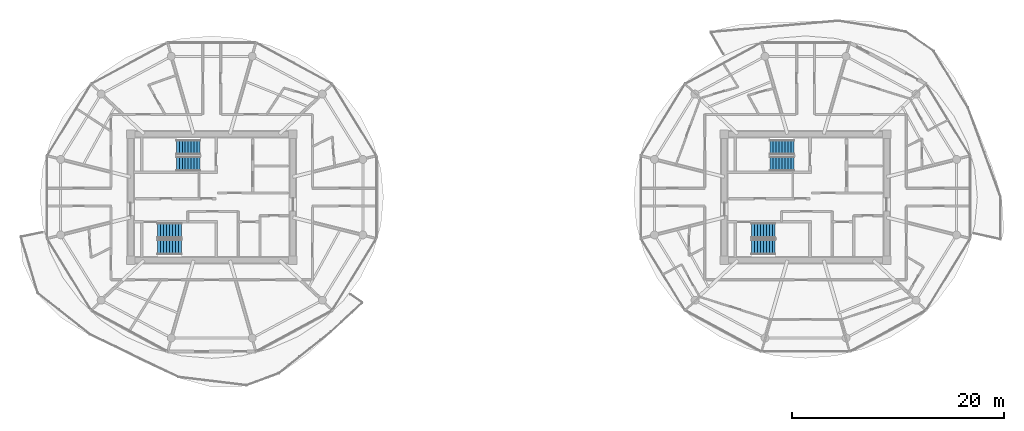
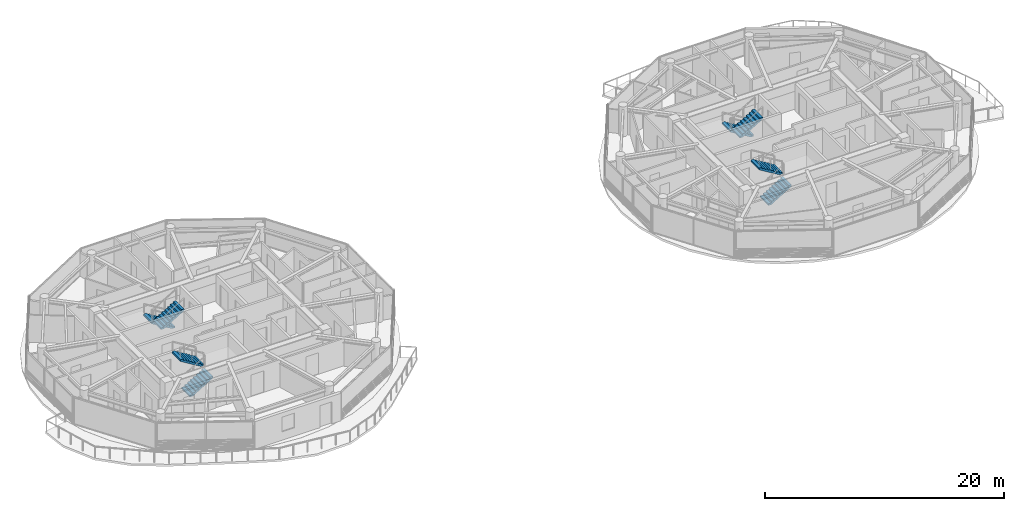
# One storey, part 15 of 19: 8 stair flights, 4 elements without a shape of their own.
"""IFC4 building model written with IfcOpenShell, lengths in metres."""

from ifc_helpers import new_model, si_unit, direction, frame, origin, place, context, subcontext, project, spatial, polyline, outline, extrude, material, type_object, element, aggregate, save


model = new_model("IFC4")

# Units and contexts
model_context = context("Model", 3, precision=1e-05, world=origin(), true_north=direction((0.0, 1.0)))
body_context = subcontext(model_context, "Body", "Model", "MODEL_VIEW")
ifc_project = project(units=[si_unit("LENGTHUNIT", "METRE"), si_unit("AREAUNIT", "SQUARE_METRE"), si_unit("VOLUMEUNIT", "CUBIC_METRE"), si_unit("PLANEANGLEUNIT", "RADIAN"), si_unit("MASSUNIT", "GRAM", prefix="KILO")], contexts=[model_context])

# Site, building, storey
site_placement = place(None, origin())
site = spatial("IfcSite", under=ifc_project, at=site_placement, CompositionType="ELEMENT")
building_placement = place(site_placement, origin())
building = spatial("IfcBuilding", under=site, at=building_placement, Name="Norrkilde Senior Care Towers", CompositionType="ELEMENT")
storey_placement = place(building_placement, frame((0.0, 0.0, 235.25)))
storey = spatial("IfcBuildingStorey", under=building, at=storey_placement, Name="L73", CompositionType="ELEMENT", Elevation=235.25)

# Stair, stair flights
ifc_material = material(Name="Concrete C45/55", Category="concrete")
stair_type = type_object("IfcStairType", Name="Core Protected Dogleg Stair Typical 3050", PredefinedType="HALF_TURN_STAIR", material=ifc_material)
stair_1_placement = place(storey_placement, origin())
stair_1 = element("IfcStair", 1, at=stair_1_placement, inside=storey, type_object=stair_type, Name="L73 Protected Core Stair W1", PredefinedType="HALF_TURN_STAIR")
stair_flight_type = type_object("IfcStairFlightType", Name="Core Protected Dogleg Stair Typical 3050 Flight", PredefinedType="STRAIGHT", material=ifc_material)
stair_flight_1_placement = place(storey_placement, frame((-29.10009765625, 4.699951171875, 0.0), z_axis=(0.0, 0.0, 1.0), x_axis=(-1.0, 0.0, 0.0)))
stair_flight_1 = element("IfcStairFlight", 2, at=stair_flight_1_placement, type_object=stair_flight_type, Name="ST-W1 flight 1", NumberOfRisers=9, NumberOfTreads=8, PredefinedType="STRAIGHT", RiserHeight=0.169444444, TreadLength=0.28, context=body_context, shape_type="SweptSolid", body=[
    extrude(outline(polyline([(0.0, 0.0), (0.0, 0.16943359375), (0.280029296875, 0.16943359375), (0.280029296875, 0.3388671875), (0.56005859375, 0.3388671875), (0.56005859375, 0.50830078125), (0.840087890625, 0.50830078125), (0.840087890625, 0.677734375), (1.1201171875, 0.677734375), (1.1201171875, 0.84716796875), (1.39990234375, 0.84716796875), (1.39990234375, 1.0166015625), (1.679931640625, 1.0166015625), (1.679931640625, 1.18603515625), (1.9599609375, 1.18603515625), (1.9599609375, 1.35546875), (2.239990234375, 1.35546875), (2.239990234375, 1.52490234375), (2.239990234375, 1.180419921875), (0.28955078125, 0.0), (0.0, 0.0)])), frame((0.0, 0.699951171875, 0.0), z_axis=(0.0, -1.0, 0.0), x_axis=(1.0, 0.0, 0.0)), (0.0, 0.0, 1.0), 1.39990234375),
])
stair_flight_2_placement = place(storey_placement, frame((-31.340087890625, 3.14990234375, 1.52490234375), z_axis=(0.0, 0.0, 1.0), x_axis=(1.0, 0.0, 0.0)))
stair_flight_2 = element("IfcStairFlight", 3, at=stair_flight_2_placement, type_object=stair_flight_type, Name="ST-W1 flight 2", NumberOfRisers=9, NumberOfTreads=8, PredefinedType="STRAIGHT", RiserHeight=0.169444444, TreadLength=0.28, context=body_context, shape_type="SweptSolid", body=[
    extrude(outline(polyline([(0.0, 0.0), (0.0, 0.16943359375), (0.280029296875, 0.16943359375), (0.280029296875, 0.3388671875), (0.56005859375, 0.3388671875), (0.56005859375, 0.50830078125), (0.840087890625, 0.50830078125), (0.840087890625, 0.677734375), (1.1201171875, 0.677734375), (1.1201171875, 0.84716796875), (1.39990234375, 0.84716796875), (1.39990234375, 1.0166015625), (1.679931640625, 1.0166015625), (1.679931640625, 1.18603515625), (1.9599609375, 1.18603515625), (1.9599609375, 1.35546875), (2.239990234375, 1.35546875), (2.239990234375, 1.52490234375), (2.239990234375, 1.180419921875), (0.28955078125, 0.0), (0.0, 0.0)])), frame((0.0, 0.699951171875, 0.0), z_axis=(0.0, -1.0, 0.0), x_axis=(1.0, 0.0, 0.0)), (0.0, 0.0, 1.0), 1.39990234375),
])
aggregate(stair_1, [stair_flight_1, stair_flight_2])

stair_2_placement = place(storey_placement, origin())
stair_2 = element("IfcStair", 4, at=stair_2_placement, inside=storey, type_object=stair_type, Name="L73 Protected Core Stair W2", PredefinedType="HALF_TURN_STAIR")
stair_flight_3_placement = place(storey_placement, frame((-33.10009765625, -4.699951171875, 0.0), z_axis=(0.0, 0.0, 1.0), x_axis=(1.0, 0.0, 0.0)))
stair_flight_3 = element("IfcStairFlight", 5, at=stair_flight_3_placement, type_object=stair_flight_type, Name="ST-W2 flight 1", NumberOfRisers=9, NumberOfTreads=8, PredefinedType="STRAIGHT", RiserHeight=0.169444444, TreadLength=0.28, context=body_context, shape_type="SweptSolid", body=[
    extrude(outline(polyline([(0.0, 0.0), (0.0, 0.16943359375), (0.280029296875, 0.16943359375), (0.280029296875, 0.3388671875), (0.56005859375, 0.3388671875), (0.56005859375, 0.50830078125), (0.840087890625, 0.50830078125), (0.840087890625, 0.677734375), (1.1201171875, 0.677734375), (1.1201171875, 0.84716796875), (1.39990234375, 0.84716796875), (1.39990234375, 1.0166015625), (1.679931640625, 1.0166015625), (1.679931640625, 1.18603515625), (1.9599609375, 1.18603515625), (1.9599609375, 1.35546875), (2.239990234375, 1.35546875), (2.239990234375, 1.52490234375), (2.239990234375, 1.180419921875), (0.28955078125, 0.0), (0.0, 0.0)])), frame((0.0, 0.699951171875, 0.0), z_axis=(0.0, -1.0, 0.0), x_axis=(1.0, 0.0, 0.0)), (0.0, 0.0, 1.0), 1.39990234375),
])
stair_flight_4_placement = place(storey_placement, frame((-30.860107421875, -3.14990234375, 1.52490234375), z_axis=(0.0, 0.0, 1.0), x_axis=(-1.0, 0.0, 0.0)))
stair_flight_4 = element("IfcStairFlight", 6, at=stair_flight_4_placement, type_object=stair_flight_type, Name="ST-W2 flight 2", NumberOfRisers=9, NumberOfTreads=8, PredefinedType="STRAIGHT", RiserHeight=0.169444444, TreadLength=0.28, context=body_context, shape_type="SweptSolid", body=[
    extrude(outline(polyline([(0.0, 0.0), (0.0, 0.16943359375), (0.280029296875, 0.16943359375), (0.280029296875, 0.3388671875), (0.56005859375, 0.3388671875), (0.56005859375, 0.50830078125), (0.840087890625, 0.50830078125), (0.840087890625, 0.677734375), (1.1201171875, 0.677734375), (1.1201171875, 0.84716796875), (1.39990234375, 0.84716796875), (1.39990234375, 1.0166015625), (1.679931640625, 1.0166015625), (1.679931640625, 1.18603515625), (1.9599609375, 1.18603515625), (1.9599609375, 1.35546875), (2.239990234375, 1.35546875), (2.239990234375, 1.52490234375), (2.239990234375, 1.180419921875), (0.28955078125, 0.0), (0.0, 0.0)])), frame((0.0, 0.699951171875, 0.0), z_axis=(0.0, -1.0, 0.0), x_axis=(1.0, 0.0, 0.0)), (0.0, 0.0, 1.0), 1.39990234375),
])
aggregate(stair_2, [stair_flight_3, stair_flight_4])

stair_3_placement = place(storey_placement, origin())
stair_3 = element("IfcStair", 7, at=stair_3_placement, inside=storey, type_object=stair_type, Name="L73 Protected Core Stair E1", PredefinedType="HALF_TURN_STAIR")
stair_flight_5_placement = place(storey_placement, frame((26.89990234375, 4.699951171875, 0.0), z_axis=(0.0, 0.0, 1.0), x_axis=(-1.0, 0.0, 0.0)))
stair_flight_5 = element("IfcStairFlight", 8, at=stair_flight_5_placement, type_object=stair_flight_type, Name="ST-E1 flight 1", NumberOfRisers=9, NumberOfTreads=8, PredefinedType="STRAIGHT", RiserHeight=0.169444444, TreadLength=0.28, context=body_context, shape_type="SweptSolid", body=[
    extrude(outline(polyline([(0.0, 0.0), (0.0, 0.16943359375), (0.280029296875, 0.16943359375), (0.280029296875, 0.3388671875), (0.56005859375, 0.3388671875), (0.56005859375, 0.50830078125), (0.840087890625, 0.50830078125), (0.840087890625, 0.677734375), (1.1201171875, 0.677734375), (1.1201171875, 0.84716796875), (1.39990234375, 0.84716796875), (1.39990234375, 1.0166015625), (1.679931640625, 1.0166015625), (1.679931640625, 1.18603515625), (1.9599609375, 1.18603515625), (1.9599609375, 1.35546875), (2.239990234375, 1.35546875), (2.239990234375, 1.52490234375), (2.239990234375, 1.180419921875), (0.28955078125, 0.0), (0.0, 0.0)])), frame((0.0, 0.699951171875, 0.0), z_axis=(0.0, -1.0, 0.0), x_axis=(1.0, 0.0, 0.0)), (0.0, 0.0, 1.0), 1.39990234375),
])
stair_flight_6_placement = place(storey_placement, frame((24.659912109375, 3.14990234375, 1.52490234375), z_axis=(0.0, 0.0, 1.0), x_axis=(1.0, 0.0, 0.0)))
stair_flight_6 = element("IfcStairFlight", 9, at=stair_flight_6_placement, type_object=stair_flight_type, Name="ST-E1 flight 2", NumberOfRisers=9, NumberOfTreads=8, PredefinedType="STRAIGHT", RiserHeight=0.169444444, TreadLength=0.28, context=body_context, shape_type="SweptSolid", body=[
    extrude(outline(polyline([(0.0, 0.0), (0.0, 0.16943359375), (0.280029296875, 0.16943359375), (0.280029296875, 0.3388671875), (0.56005859375, 0.3388671875), (0.56005859375, 0.50830078125), (0.840087890625, 0.50830078125), (0.840087890625, 0.677734375), (1.1201171875, 0.677734375), (1.1201171875, 0.84716796875), (1.39990234375, 0.84716796875), (1.39990234375, 1.0166015625), (1.679931640625, 1.0166015625), (1.679931640625, 1.18603515625), (1.9599609375, 1.18603515625), (1.9599609375, 1.35546875), (2.239990234375, 1.35546875), (2.239990234375, 1.52490234375), (2.239990234375, 1.180419921875), (0.28955078125, 0.0), (0.0, 0.0)])), frame((0.0, 0.699951171875, 0.0), z_axis=(0.0, -1.0, 0.0), x_axis=(1.0, 0.0, 0.0)), (0.0, 0.0, 1.0), 1.39990234375),
])
aggregate(stair_3, [stair_flight_5, stair_flight_6])

stair_4_placement = place(storey_placement, origin())
stair_4 = element("IfcStair", 10, at=stair_4_placement, inside=storey, type_object=stair_type, Name="L73 Protected Core Stair E2", PredefinedType="HALF_TURN_STAIR")
stair_flight_7_placement = place(storey_placement, frame((22.89990234375, -4.699951171875, 0.0), z_axis=(0.0, 0.0, 1.0), x_axis=(1.0, 0.0, 0.0)))
stair_flight_7 = element("IfcStairFlight", 11, at=stair_flight_7_placement, type_object=stair_flight_type, Name="ST-E2 flight 1", NumberOfRisers=9, NumberOfTreads=8, PredefinedType="STRAIGHT", RiserHeight=0.169444444, TreadLength=0.28, context=body_context, shape_type="SweptSolid", body=[
    extrude(outline(polyline([(0.0, 0.0), (0.0, 0.16943359375), (0.280029296875, 0.16943359375), (0.280029296875, 0.3388671875), (0.56005859375, 0.3388671875), (0.56005859375, 0.50830078125), (0.840087890625, 0.50830078125), (0.840087890625, 0.677734375), (1.1201171875, 0.677734375), (1.1201171875, 0.84716796875), (1.39990234375, 0.84716796875), (1.39990234375, 1.0166015625), (1.679931640625, 1.0166015625), (1.679931640625, 1.18603515625), (1.9599609375, 1.18603515625), (1.9599609375, 1.35546875), (2.239990234375, 1.35546875), (2.239990234375, 1.52490234375), (2.239990234375, 1.180419921875), (0.28955078125, 0.0), (0.0, 0.0)])), frame((0.0, 0.699951171875, 0.0), z_axis=(0.0, -1.0, 0.0), x_axis=(1.0, 0.0, 0.0)), (0.0, 0.0, 1.0), 1.39990234375),
])
stair_flight_8_placement = place(storey_placement, frame((25.139892578125, -3.14990234375, 1.52490234375), z_axis=(0.0, 0.0, 1.0), x_axis=(-1.0, 0.0, 0.0)))
stair_flight_8 = element("IfcStairFlight", 12, at=stair_flight_8_placement, type_object=stair_flight_type, Name="ST-E2 flight 2", NumberOfRisers=9, NumberOfTreads=8, PredefinedType="STRAIGHT", RiserHeight=0.169444444, TreadLength=0.28, context=body_context, shape_type="SweptSolid", body=[
    extrude(outline(polyline([(0.0, 0.0), (0.0, 0.16943359375), (0.280029296875, 0.16943359375), (0.280029296875, 0.3388671875), (0.56005859375, 0.3388671875), (0.56005859375, 0.50830078125), (0.840087890625, 0.50830078125), (0.840087890625, 0.677734375), (1.1201171875, 0.677734375), (1.1201171875, 0.84716796875), (1.39990234375, 0.84716796875), (1.39990234375, 1.0166015625), (1.679931640625, 1.0166015625), (1.679931640625, 1.18603515625), (1.9599609375, 1.18603515625), (1.9599609375, 1.35546875), (2.239990234375, 1.35546875), (2.239990234375, 1.52490234375), (2.239990234375, 1.180419921875), (0.28955078125, 0.0), (0.0, 0.0)])), frame((0.0, 0.699951171875, 0.0), z_axis=(0.0, -1.0, 0.0), x_axis=(1.0, 0.0, 0.0)), (0.0, 0.0, 1.0), 1.39990234375),
])
aggregate(stair_4, [stair_flight_7, stair_flight_8])

save(model, "model.ifc")
